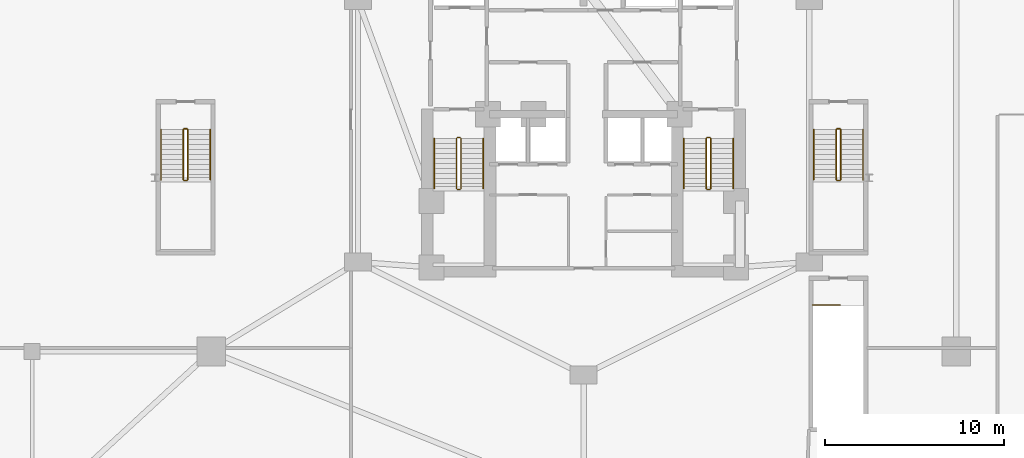
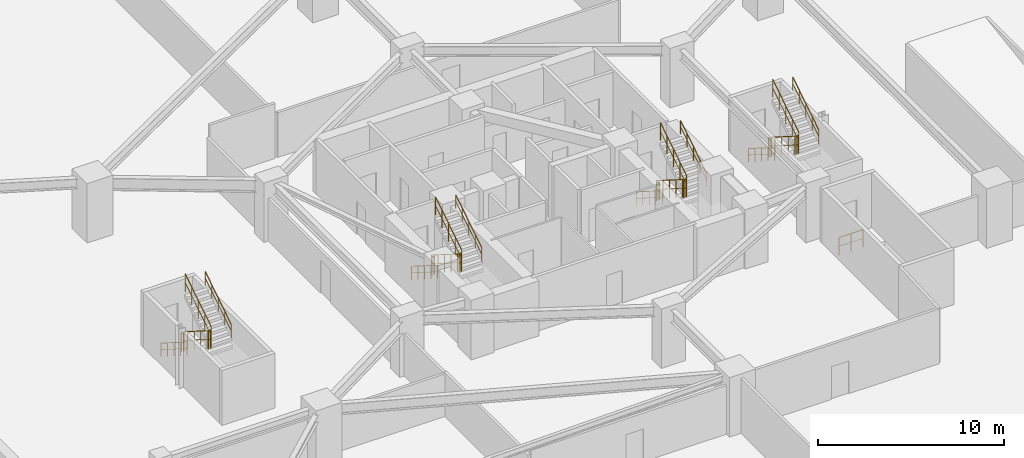
# One storey, part 10 of 10: 25 railings.
"""IFC4 building model written with IfcOpenShell, lengths in metres."""

from ifc_helpers import new_model, si_unit, direction, frame, origin, origin_2d, place, context, subcontext, project, spatial, circle, extrude, material, type_object, element, save


model = new_model("IFC4")

# Units and contexts
model_context = context("Model", 3, precision=1e-05, world=origin(), true_north=direction((0.0, 1.0)))
body_context = subcontext(model_context, "Body", "Model", "MODEL_VIEW")
ifc_project = project(units=[si_unit("LENGTHUNIT", "METRE"), si_unit("AREAUNIT", "SQUARE_METRE"), si_unit("VOLUMEUNIT", "CUBIC_METRE"), si_unit("PLANEANGLEUNIT", "RADIAN"), si_unit("MASSUNIT", "GRAM", prefix="KILO")], contexts=[model_context])

# Site, building, storey
site_placement = place(None, origin())
site = spatial("IfcSite", under=ifc_project, at=site_placement, CompositionType="ELEMENT")
building_placement = place(site_placement, origin())
building = spatial("IfcBuilding", under=site, at=building_placement, Name="Miruveldt Soraemaru", CompositionType="ELEMENT")
storey_placement = place(building_placement, frame((0.0, 0.0, -3.89990234375)))
storey = spatial("IfcBuildingStorey", under=building, at=storey_placement, Name="B1", CompositionType="ELEMENT", Elevation=-3.89990234375)

# Railings
ifc_material = material(Name="Steel S355 (355 MPa)", Category="steel")
railing_type_1 = type_object("IfcRailingType", Name="RAIL-HR-900", PredefinedType="HANDRAIL", material=ifc_material)
railing_1_placement = place(storey_placement, frame((35.64990234375, 42.699951171875, 0.17724609375)))
element("IfcRailing", 1, at=railing_1_placement, inside=storey, type_object=railing_type_1, Name="B1 ST-1 stair handrail 1", PredefinedType="HANDRAIL", context=body_context, shape_type="SweptSolid", body=[
    extrude(circle(Radius=0.02392578125, at=origin_2d()), frame((0.0, 0.0, 0.8759765625), z_axis=(0.0, -0.844908973607, 0.534910110503), x_axis=(1.0, 0.0, 0.0)), (0.0, 0.0, 1.0), 3.31396484375),
    extrude(circle(Radius=0.01611328125, at=origin_2d()), frame((0.0, 0.0, 0.449951171875), z_axis=(0.0, -0.844908973607, 0.534910110503), x_axis=(1.0, 0.0, 0.0)), (0.0, 0.0, 1.0), 3.31396484375),
    extrude(circle(Radius=0.02099609375, at=origin_2d()), origin(), (0.0, 0.0, 1.0), 0.851806640625),
    extrude(circle(Radius=0.02099609375, at=origin_2d()), frame((0.0, -0.699951171875, 0.443115234375)), (0.0, 0.0, 1.0), 0.851806640625),
    extrude(circle(Radius=0.02099609375, at=origin_2d()), frame((0.0, -1.39990234375, 0.88623046875)), (0.0, 0.0, 1.0), 0.851806640625),
    extrude(circle(Radius=0.02099609375, at=origin_2d()), frame((0.0, -2.10009765625, 1.32958984375)), (0.0, 0.0, 1.0), 0.851806640625),
    extrude(circle(Radius=0.02099609375, at=origin_2d()), frame((0.0, -2.800048828125, 1.772705078125)), (0.0, 0.0, 1.0), 0.851806640625),
])
railing_2_placement = place(storey_placement, frame((38.39990234375, 39.89990234375, 2.127197265625)))
element("IfcRailing", 2, at=railing_2_placement, inside=storey, type_object=railing_type_1, Name="B1 ST-1 stair handrail 2", PredefinedType="HANDRAIL", context=body_context, shape_type="SweptSolid", body=[
    extrude(circle(Radius=0.02392578125, at=origin_2d()), frame((0.0, 0.0, 0.8759765625), z_axis=(0.0, 0.844908973607, 0.534910110503), x_axis=(-1.0, 0.0, 0.0)), (0.0, 0.0, 1.0), 3.31396484375),
    extrude(circle(Radius=0.01611328125, at=origin_2d()), frame((0.0, 0.0, 0.449951171875), z_axis=(0.0, 0.844908973607, 0.534910110503), x_axis=(-1.0, 0.0, 0.0)), (0.0, 0.0, 1.0), 3.31396484375),
    extrude(circle(Radius=0.02099609375, at=origin_2d()), origin(), (0.0, 0.0, 1.0), 0.851806640625),
    extrude(circle(Radius=0.02099609375, at=origin_2d()), frame((0.0, 0.699951171875, 0.443115234375)), (0.0, 0.0, 1.0), 0.851806640625),
    extrude(circle(Radius=0.02099609375, at=origin_2d()), frame((0.0, 1.39990234375, 0.88623046875)), (0.0, 0.0, 1.0), 0.851806640625),
    extrude(circle(Radius=0.02099609375, at=origin_2d()), frame((0.0, 2.10009765625, 1.32958984375)), (0.0, 0.0, 1.0), 0.851806640625),
    extrude(circle(Radius=0.02099609375, at=origin_2d()), frame((0.0, 2.800048828125, 1.772705078125)), (0.0, 0.0, 1.0), 0.851806640625),
])
railing_3_placement = place(storey_placement, frame((49.60009765625, 42.699951171875, 0.17724609375)))
element("IfcRailing", 3, at=railing_3_placement, inside=storey, type_object=railing_type_1, Name="B1 ST-2 stair handrail 1", PredefinedType="HANDRAIL", context=body_context, shape_type="SweptSolid", body=[
    extrude(circle(Radius=0.02392578125, at=origin_2d()), frame((0.0, 0.0, 0.8759765625), z_axis=(0.0, -0.844908973607, 0.534910110503), x_axis=(1.0, 0.0, 0.0)), (0.0, 0.0, 1.0), 3.31396484375),
    extrude(circle(Radius=0.01611328125, at=origin_2d()), frame((0.0, 0.0, 0.449951171875), z_axis=(0.0, -0.844908973607, 0.534910110503), x_axis=(1.0, 0.0, 0.0)), (0.0, 0.0, 1.0), 3.31396484375),
    extrude(circle(Radius=0.02099609375, at=origin_2d()), origin(), (0.0, 0.0, 1.0), 0.851806640625),
    extrude(circle(Radius=0.02099609375, at=origin_2d()), frame((0.0, -0.699951171875, 0.443115234375)), (0.0, 0.0, 1.0), 0.851806640625),
    extrude(circle(Radius=0.02099609375, at=origin_2d()), frame((0.0, -1.39990234375, 0.88623046875)), (0.0, 0.0, 1.0), 0.851806640625),
    extrude(circle(Radius=0.02099609375, at=origin_2d()), frame((0.0, -2.10009765625, 1.32958984375)), (0.0, 0.0, 1.0), 0.851806640625),
    extrude(circle(Radius=0.02099609375, at=origin_2d()), frame((0.0, -2.800048828125, 1.772705078125)), (0.0, 0.0, 1.0), 0.851806640625),
])
railing_4_placement = place(storey_placement, frame((52.35009765625, 39.89990234375, 2.127197265625)))
element("IfcRailing", 4, at=railing_4_placement, inside=storey, type_object=railing_type_1, Name="B1 ST-2 stair handrail 2", PredefinedType="HANDRAIL", context=body_context, shape_type="SweptSolid", body=[
    extrude(circle(Radius=0.02392578125, at=origin_2d()), frame((0.0, 0.0, 0.8759765625), z_axis=(0.0, 0.844908973607, 0.534910110503), x_axis=(-1.0, 0.0, 0.0)), (0.0, 0.0, 1.0), 3.31396484375),
    extrude(circle(Radius=0.01611328125, at=origin_2d()), frame((0.0, 0.0, 0.449951171875), z_axis=(0.0, 0.844908973607, 0.534910110503), x_axis=(-1.0, 0.0, 0.0)), (0.0, 0.0, 1.0), 3.31396484375),
    extrude(circle(Radius=0.02099609375, at=origin_2d()), origin(), (0.0, 0.0, 1.0), 0.851806640625),
    extrude(circle(Radius=0.02099609375, at=origin_2d()), frame((0.0, 0.699951171875, 0.443115234375)), (0.0, 0.0, 1.0), 0.851806640625),
    extrude(circle(Radius=0.02099609375, at=origin_2d()), frame((0.0, 1.39990234375, 0.88623046875)), (0.0, 0.0, 1.0), 0.851806640625),
    extrude(circle(Radius=0.02099609375, at=origin_2d()), frame((0.0, 2.10009765625, 1.32958984375)), (0.0, 0.0, 1.0), 0.851806640625),
    extrude(circle(Radius=0.02099609375, at=origin_2d()), frame((0.0, 2.800048828125, 1.772705078125)), (0.0, 0.0, 1.0), 0.851806640625),
])
railing_5_placement = place(storey_placement, frame((20.39990234375, 43.199951171875, 0.17724609375)))
element("IfcRailing", 5, at=railing_5_placement, inside=storey, type_object=railing_type_1, Name="B1 ST-3 stair handrail 1", PredefinedType="HANDRAIL", context=body_context, shape_type="SweptSolid", body=[
    extrude(circle(Radius=0.02392578125, at=origin_2d()), frame((0.0, 0.0, 0.8759765625), z_axis=(0.0, -0.844908973607, 0.534910110503), x_axis=(1.0, 0.0, 0.0)), (0.0, 0.0, 1.0), 3.31396484375),
    extrude(circle(Radius=0.01611328125, at=origin_2d()), frame((0.0, 0.0, 0.449951171875), z_axis=(0.0, -0.844908973607, 0.534910110503), x_axis=(1.0, 0.0, 0.0)), (0.0, 0.0, 1.0), 3.31396484375),
    extrude(circle(Radius=0.02099609375, at=origin_2d()), origin(), (0.0, 0.0, 1.0), 0.851806640625),
    extrude(circle(Radius=0.02099609375, at=origin_2d()), frame((0.0, -0.699951171875, 0.443115234375)), (0.0, 0.0, 1.0), 0.851806640625),
    extrude(circle(Radius=0.02099609375, at=origin_2d()), frame((0.0, -1.39990234375, 0.88623046875)), (0.0, 0.0, 1.0), 0.851806640625),
    extrude(circle(Radius=0.02099609375, at=origin_2d()), frame((0.0, -2.10009765625, 1.32958984375)), (0.0, 0.0, 1.0), 0.851806640625),
    extrude(circle(Radius=0.02099609375, at=origin_2d()), frame((0.0, -2.800048828125, 1.772705078125)), (0.0, 0.0, 1.0), 0.851806640625),
])
railing_6_placement = place(storey_placement, frame((23.14990234375, 40.39990234375, 2.127197265625)))
element("IfcRailing", 6, at=railing_6_placement, inside=storey, type_object=railing_type_1, Name="B1 ST-3 stair handrail 2", PredefinedType="HANDRAIL", context=body_context, shape_type="SweptSolid", body=[
    extrude(circle(Radius=0.02392578125, at=origin_2d()), frame((0.0, 0.0, 0.8759765625), z_axis=(0.0, 0.844908973607, 0.534910110503), x_axis=(-1.0, 0.0, 0.0)), (0.0, 0.0, 1.0), 3.31396484375),
    extrude(circle(Radius=0.01611328125, at=origin_2d()), frame((0.0, 0.0, 0.449951171875), z_axis=(0.0, 0.844908973607, 0.534910110503), x_axis=(-1.0, 0.0, 0.0)), (0.0, 0.0, 1.0), 3.31396484375),
    extrude(circle(Radius=0.02099609375, at=origin_2d()), origin(), (0.0, 0.0, 1.0), 0.851806640625),
    extrude(circle(Radius=0.02099609375, at=origin_2d()), frame((0.0, 0.699951171875, 0.443115234375)), (0.0, 0.0, 1.0), 0.851806640625),
    extrude(circle(Radius=0.02099609375, at=origin_2d()), frame((0.0, 1.39990234375, 0.88623046875)), (0.0, 0.0, 1.0), 0.851806640625),
    extrude(circle(Radius=0.02099609375, at=origin_2d()), frame((0.0, 2.10009765625, 1.32958984375)), (0.0, 0.0, 1.0), 0.851806640625),
    extrude(circle(Radius=0.02099609375, at=origin_2d()), frame((0.0, 2.800048828125, 1.772705078125)), (0.0, 0.0, 1.0), 0.851806640625),
])
railing_7_placement = place(storey_placement, frame((56.85009765625, 43.199951171875, 0.17724609375)))
element("IfcRailing", 7, at=railing_7_placement, inside=storey, type_object=railing_type_1, Name="B1 ST-4 stair handrail 1", PredefinedType="HANDRAIL", context=body_context, shape_type="SweptSolid", body=[
    extrude(circle(Radius=0.02392578125, at=origin_2d()), frame((0.0, 0.0, 0.8759765625), z_axis=(0.0, -0.844908973607, 0.534910110503), x_axis=(1.0, 0.0, 0.0)), (0.0, 0.0, 1.0), 3.31396484375),
    extrude(circle(Radius=0.01611328125, at=origin_2d()), frame((0.0, 0.0, 0.449951171875), z_axis=(0.0, -0.844908973607, 0.534910110503), x_axis=(1.0, 0.0, 0.0)), (0.0, 0.0, 1.0), 3.31396484375),
    extrude(circle(Radius=0.02099609375, at=origin_2d()), origin(), (0.0, 0.0, 1.0), 0.851806640625),
    extrude(circle(Radius=0.02099609375, at=origin_2d()), frame((0.0, -0.699951171875, 0.443115234375)), (0.0, 0.0, 1.0), 0.851806640625),
    extrude(circle(Radius=0.02099609375, at=origin_2d()), frame((0.0, -1.39990234375, 0.88623046875)), (0.0, 0.0, 1.0), 0.851806640625),
    extrude(circle(Radius=0.02099609375, at=origin_2d()), frame((0.0, -2.10009765625, 1.32958984375)), (0.0, 0.0, 1.0), 0.851806640625),
    extrude(circle(Radius=0.02099609375, at=origin_2d()), frame((0.0, -2.800048828125, 1.772705078125)), (0.0, 0.0, 1.0), 0.851806640625),
])
railing_8_placement = place(storey_placement, frame((59.60009765625, 40.39990234375, 2.127197265625)))
element("IfcRailing", 8, at=railing_8_placement, inside=storey, type_object=railing_type_1, Name="B1 ST-4 stair handrail 2", PredefinedType="HANDRAIL", context=body_context, shape_type="SweptSolid", body=[
    extrude(circle(Radius=0.02392578125, at=origin_2d()), frame((0.0, 0.0, 0.8759765625), z_axis=(0.0, 0.844908973607, 0.534910110503), x_axis=(-1.0, 0.0, 0.0)), (0.0, 0.0, 1.0), 3.31396484375),
    extrude(circle(Radius=0.01611328125, at=origin_2d()), frame((0.0, 0.0, 0.449951171875), z_axis=(0.0, 0.844908973607, 0.534910110503), x_axis=(-1.0, 0.0, 0.0)), (0.0, 0.0, 1.0), 3.31396484375),
    extrude(circle(Radius=0.02099609375, at=origin_2d()), origin(), (0.0, 0.0, 1.0), 0.851806640625),
    extrude(circle(Radius=0.02099609375, at=origin_2d()), frame((0.0, 0.699951171875, 0.443115234375)), (0.0, 0.0, 1.0), 0.851806640625),
    extrude(circle(Radius=0.02099609375, at=origin_2d()), frame((0.0, 1.39990234375, 0.88623046875)), (0.0, 0.0, 1.0), 0.851806640625),
    extrude(circle(Radius=0.02099609375, at=origin_2d()), frame((0.0, 2.10009765625, 1.32958984375)), (0.0, 0.0, 1.0), 0.851806640625),
    extrude(circle(Radius=0.02099609375, at=origin_2d()), frame((0.0, 2.800048828125, 1.772705078125)), (0.0, 0.0, 1.0), 0.851806640625),
])
railing_type_2 = type_object("IfcRailingType", Name="RAIL-STGUARD-1200", PredefinedType="GUARDRAIL", material=ifc_material)
railing_9_placement = place(storey_placement, frame((36.89990234375, 42.699951171875, 0.17724609375)))
element("IfcRailing", 9, at=railing_9_placement, inside=storey, type_object=railing_type_2, Name="B1 ST-1 stair guard 1", PredefinedType="GUARDRAIL", context=body_context, shape_type="SweptSolid", body=[
    extrude(circle(Radius=0.02392578125, at=origin_2d()), frame((0.0, 0.0, 1.17578125), z_axis=(0.0, -0.844908973607, 0.534910110503), x_axis=(1.0, 0.0, 0.0)), (0.0, 0.0, 1.0), 3.31396484375),
    extrude(circle(Radius=0.01611328125, at=origin_2d()), frame((0.0, 0.0, 0.60009765625), z_axis=(0.0, -0.844908973607, 0.534910110503), x_axis=(1.0, 0.0, 0.0)), (0.0, 0.0, 1.0), 3.31396484375),
    extrude(circle(Radius=0.02099609375, at=origin_2d()), origin(), (0.0, 0.0, 1.0), 1.15185546875),
    extrude(circle(Radius=0.02099609375, at=origin_2d()), frame((0.0, -0.699951171875, 0.443115234375)), (0.0, 0.0, 1.0), 1.15185546875),
    extrude(circle(Radius=0.02099609375, at=origin_2d()), frame((0.0, -1.39990234375, 0.88623046875)), (0.0, 0.0, 1.0), 1.15185546875),
    extrude(circle(Radius=0.02099609375, at=origin_2d()), frame((0.0, -2.10009765625, 1.32958984375)), (0.0, 0.0, 1.0), 1.15185546875),
    extrude(circle(Radius=0.02099609375, at=origin_2d()), frame((0.0, -2.800048828125, 1.772705078125)), (0.0, 0.0, 1.0), 1.15185546875),
])
railing_10_placement = place(storey_placement, frame((36.949951171875, 39.85009765625, 1.949951171875)))
element("IfcRailing", 10, at=railing_10_placement, inside=storey, type_object=railing_type_2, Name="B1 ST-1 stair guard 2", PredefinedType="GUARDRAIL", context=body_context, shape_type="SweptSolid", body=[
    extrude(circle(Radius=0.02392578125, at=origin_2d()), frame((0.0, 0.0, 1.17578125), z_axis=(1.0, 0.0, 0.0), x_axis=(0.0, 1.0, 0.0)), (0.0, 0.0, 1.0), 0.150146484375),
    extrude(circle(Radius=0.01611328125, at=origin_2d()), frame((0.0, 0.0, 0.60009765625), z_axis=(1.0, 0.0, 0.0), x_axis=(0.0, 1.0, 0.0)), (0.0, 0.0, 1.0), 0.150146484375),
    extrude(circle(Radius=0.02099609375, at=origin_2d()), origin(), (0.0, 0.0, 1.0), 1.15185546875),
    extrude(circle(Radius=0.02099609375, at=origin_2d()), frame((0.150146484375, 0.0, 0.0)), (0.0, 0.0, 1.0), 1.15185546875),
])
railing_11_placement = place(storey_placement, frame((37.14990234375, 39.89990234375, 2.127197265625)))
element("IfcRailing", 11, at=railing_11_placement, inside=storey, type_object=railing_type_2, Name="B1 ST-1 stair guard 3", PredefinedType="GUARDRAIL", context=body_context, shape_type="SweptSolid", body=[
    extrude(circle(Radius=0.02392578125, at=origin_2d()), frame((0.0, 0.0, 1.17578125), z_axis=(0.0, 0.844908973607, 0.534910110503), x_axis=(-1.0, 0.0, 0.0)), (0.0, 0.0, 1.0), 3.31396484375),
    extrude(circle(Radius=0.01611328125, at=origin_2d()), frame((0.0, 0.0, 0.60009765625), z_axis=(0.0, 0.844908973607, 0.534910110503), x_axis=(-1.0, 0.0, 0.0)), (0.0, 0.0, 1.0), 3.31396484375),
    extrude(circle(Radius=0.02099609375, at=origin_2d()), origin(), (0.0, 0.0, 1.0), 1.15185546875),
    extrude(circle(Radius=0.02099609375, at=origin_2d()), frame((0.0, 0.699951171875, 0.443115234375)), (0.0, 0.0, 1.0), 1.15185546875),
    extrude(circle(Radius=0.02099609375, at=origin_2d()), frame((0.0, 1.39990234375, 0.88623046875)), (0.0, 0.0, 1.0), 1.15185546875),
    extrude(circle(Radius=0.02099609375, at=origin_2d()), frame((0.0, 2.10009765625, 1.32958984375)), (0.0, 0.0, 1.0), 1.15185546875),
    extrude(circle(Radius=0.02099609375, at=origin_2d()), frame((0.0, 2.800048828125, 1.772705078125)), (0.0, 0.0, 1.0), 1.15185546875),
])
railing_12_placement = place(storey_placement, frame((36.949951171875, 42.75, 0.0)))
element("IfcRailing", 12, at=railing_12_placement, inside=storey, type_object=railing_type_2, Name="B1 ST-1 stair guard 4", PredefinedType="GUARDRAIL", context=body_context, shape_type="SweptSolid", body=[
    extrude(circle(Radius=0.02392578125, at=origin_2d()), frame((0.0, 0.0, 1.17578125), z_axis=(1.0, 0.0, 0.0), x_axis=(0.0, 1.0, 0.0)), (0.0, 0.0, 1.0), 0.150146484375),
    extrude(circle(Radius=0.01611328125, at=origin_2d()), frame((0.0, 0.0, 0.60009765625), z_axis=(1.0, 0.0, 0.0), x_axis=(0.0, 1.0, 0.0)), (0.0, 0.0, 1.0), 0.150146484375),
    extrude(circle(Radius=0.02099609375, at=origin_2d()), origin(), (0.0, 0.0, 1.0), 1.15185546875),
    extrude(circle(Radius=0.02099609375, at=origin_2d()), frame((0.150146484375, 0.0, 0.0)), (0.0, 0.0, 1.0), 1.15185546875),
])
railing_13_placement = place(storey_placement, frame((50.85009765625, 42.699951171875, 0.17724609375)))
element("IfcRailing", 13, at=railing_13_placement, inside=storey, type_object=railing_type_2, Name="B1 ST-2 stair guard 1", PredefinedType="GUARDRAIL", context=body_context, shape_type="SweptSolid", body=[
    extrude(circle(Radius=0.02392578125, at=origin_2d()), frame((0.0, 0.0, 1.17578125), z_axis=(0.0, -0.844908973607, 0.534910110503), x_axis=(1.0, 0.0, 0.0)), (0.0, 0.0, 1.0), 3.31396484375),
    extrude(circle(Radius=0.01611328125, at=origin_2d()), frame((0.0, 0.0, 0.60009765625), z_axis=(0.0, -0.844908973607, 0.534910110503), x_axis=(1.0, 0.0, 0.0)), (0.0, 0.0, 1.0), 3.31396484375),
    extrude(circle(Radius=0.02099609375, at=origin_2d()), origin(), (0.0, 0.0, 1.0), 1.15185546875),
    extrude(circle(Radius=0.02099609375, at=origin_2d()), frame((0.0, -0.699951171875, 0.443115234375)), (0.0, 0.0, 1.0), 1.15185546875),
    extrude(circle(Radius=0.02099609375, at=origin_2d()), frame((0.0, -1.39990234375, 0.88623046875)), (0.0, 0.0, 1.0), 1.15185546875),
    extrude(circle(Radius=0.02099609375, at=origin_2d()), frame((0.0, -2.10009765625, 1.32958984375)), (0.0, 0.0, 1.0), 1.15185546875),
    extrude(circle(Radius=0.02099609375, at=origin_2d()), frame((0.0, -2.800048828125, 1.772705078125)), (0.0, 0.0, 1.0), 1.15185546875),
])
railing_14_placement = place(storey_placement, frame((50.89990234375, 39.85009765625, 1.949951171875)))
element("IfcRailing", 14, at=railing_14_placement, inside=storey, type_object=railing_type_2, Name="B1 ST-2 stair guard 2", PredefinedType="GUARDRAIL", context=body_context, shape_type="SweptSolid", body=[
    extrude(circle(Radius=0.02392578125, at=origin_2d()), frame((0.0, 0.0, 1.17578125), z_axis=(1.0, 0.0, 0.0), x_axis=(0.0, 1.0, 0.0)), (0.0, 0.0, 1.0), 0.150146484375),
    extrude(circle(Radius=0.01611328125, at=origin_2d()), frame((0.0, 0.0, 0.60009765625), z_axis=(1.0, 0.0, 0.0), x_axis=(0.0, 1.0, 0.0)), (0.0, 0.0, 1.0), 0.150146484375),
    extrude(circle(Radius=0.02099609375, at=origin_2d()), origin(), (0.0, 0.0, 1.0), 1.15185546875),
    extrude(circle(Radius=0.02099609375, at=origin_2d()), frame((0.150146484375, 0.0, 0.0)), (0.0, 0.0, 1.0), 1.15185546875),
])
railing_15_placement = place(storey_placement, frame((51.10009765625, 39.89990234375, 2.127197265625)))
element("IfcRailing", 15, at=railing_15_placement, inside=storey, type_object=railing_type_2, Name="B1 ST-2 stair guard 3", PredefinedType="GUARDRAIL", context=body_context, shape_type="SweptSolid", body=[
    extrude(circle(Radius=0.02392578125, at=origin_2d()), frame((0.0, 0.0, 1.17578125), z_axis=(0.0, 0.844908973607, 0.534910110503), x_axis=(-1.0, 0.0, 0.0)), (0.0, 0.0, 1.0), 3.31396484375),
    extrude(circle(Radius=0.01611328125, at=origin_2d()), frame((0.0, 0.0, 0.60009765625), z_axis=(0.0, 0.844908973607, 0.534910110503), x_axis=(-1.0, 0.0, 0.0)), (0.0, 0.0, 1.0), 3.31396484375),
    extrude(circle(Radius=0.02099609375, at=origin_2d()), origin(), (0.0, 0.0, 1.0), 1.15185546875),
    extrude(circle(Radius=0.02099609375, at=origin_2d()), frame((0.0, 0.699951171875, 0.443115234375)), (0.0, 0.0, 1.0), 1.15185546875),
    extrude(circle(Radius=0.02099609375, at=origin_2d()), frame((0.0, 1.39990234375, 0.88623046875)), (0.0, 0.0, 1.0), 1.15185546875),
    extrude(circle(Radius=0.02099609375, at=origin_2d()), frame((0.0, 2.10009765625, 1.32958984375)), (0.0, 0.0, 1.0), 1.15185546875),
    extrude(circle(Radius=0.02099609375, at=origin_2d()), frame((0.0, 2.800048828125, 1.772705078125)), (0.0, 0.0, 1.0), 1.15185546875),
])
railing_16_placement = place(storey_placement, frame((50.89990234375, 42.75, 0.0)))
element("IfcRailing", 16, at=railing_16_placement, inside=storey, type_object=railing_type_2, Name="B1 ST-2 stair guard 4", PredefinedType="GUARDRAIL", context=body_context, shape_type="SweptSolid", body=[
    extrude(circle(Radius=0.02392578125, at=origin_2d()), frame((0.0, 0.0, 1.17578125), z_axis=(1.0, 0.0, 0.0), x_axis=(0.0, 1.0, 0.0)), (0.0, 0.0, 1.0), 0.150146484375),
    extrude(circle(Radius=0.01611328125, at=origin_2d()), frame((0.0, 0.0, 0.60009765625), z_axis=(1.0, 0.0, 0.0), x_axis=(0.0, 1.0, 0.0)), (0.0, 0.0, 1.0), 0.150146484375),
    extrude(circle(Radius=0.02099609375, at=origin_2d()), origin(), (0.0, 0.0, 1.0), 1.15185546875),
    extrude(circle(Radius=0.02099609375, at=origin_2d()), frame((0.150146484375, 0.0, 0.0)), (0.0, 0.0, 1.0), 1.15185546875),
])
railing_17_placement = place(storey_placement, frame((21.64990234375, 43.199951171875, 0.17724609375)))
element("IfcRailing", 17, at=railing_17_placement, inside=storey, type_object=railing_type_2, Name="B1 ST-3 stair guard 1", PredefinedType="GUARDRAIL", context=body_context, shape_type="SweptSolid", body=[
    extrude(circle(Radius=0.02392578125, at=origin_2d()), frame((0.0, 0.0, 1.17578125), z_axis=(0.0, -0.844908973607, 0.534910110503), x_axis=(1.0, 0.0, 0.0)), (0.0, 0.0, 1.0), 3.31396484375),
    extrude(circle(Radius=0.01611328125, at=origin_2d()), frame((0.0, 0.0, 0.60009765625), z_axis=(0.0, -0.844908973607, 0.534910110503), x_axis=(1.0, 0.0, 0.0)), (0.0, 0.0, 1.0), 3.31396484375),
    extrude(circle(Radius=0.02099609375, at=origin_2d()), origin(), (0.0, 0.0, 1.0), 1.15185546875),
    extrude(circle(Radius=0.02099609375, at=origin_2d()), frame((0.0, -0.699951171875, 0.443115234375)), (0.0, 0.0, 1.0), 1.15185546875),
    extrude(circle(Radius=0.02099609375, at=origin_2d()), frame((0.0, -1.39990234375, 0.88623046875)), (0.0, 0.0, 1.0), 1.15185546875),
    extrude(circle(Radius=0.02099609375, at=origin_2d()), frame((0.0, -2.10009765625, 1.32958984375)), (0.0, 0.0, 1.0), 1.15185546875),
    extrude(circle(Radius=0.02099609375, at=origin_2d()), frame((0.0, -2.800048828125, 1.772705078125)), (0.0, 0.0, 1.0), 1.15185546875),
])
railing_18_placement = place(storey_placement, frame((21.699951171875, 40.35009765625, 1.949951171875)))
element("IfcRailing", 18, at=railing_18_placement, inside=storey, type_object=railing_type_2, Name="B1 ST-3 stair guard 2", PredefinedType="GUARDRAIL", context=body_context, shape_type="SweptSolid", body=[
    extrude(circle(Radius=0.02392578125, at=origin_2d()), frame((0.0, 0.0, 1.17578125), z_axis=(1.0, 0.0, 0.0), x_axis=(0.0, 1.0, 0.0)), (0.0, 0.0, 1.0), 0.150146484375),
    extrude(circle(Radius=0.01611328125, at=origin_2d()), frame((0.0, 0.0, 0.60009765625), z_axis=(1.0, 0.0, 0.0), x_axis=(0.0, 1.0, 0.0)), (0.0, 0.0, 1.0), 0.150146484375),
    extrude(circle(Radius=0.02099609375, at=origin_2d()), origin(), (0.0, 0.0, 1.0), 1.15185546875),
    extrude(circle(Radius=0.02099609375, at=origin_2d()), frame((0.150146484375, 0.0, 0.0)), (0.0, 0.0, 1.0), 1.15185546875),
])
railing_19_placement = place(storey_placement, frame((21.89990234375, 40.39990234375, 2.127197265625)))
element("IfcRailing", 19, at=railing_19_placement, inside=storey, type_object=railing_type_2, Name="B1 ST-3 stair guard 3", PredefinedType="GUARDRAIL", context=body_context, shape_type="SweptSolid", body=[
    extrude(circle(Radius=0.02392578125, at=origin_2d()), frame((0.0, 0.0, 1.17578125), z_axis=(0.0, 0.844908973607, 0.534910110503), x_axis=(-1.0, 0.0, 0.0)), (0.0, 0.0, 1.0), 3.31396484375),
    extrude(circle(Radius=0.01611328125, at=origin_2d()), frame((0.0, 0.0, 0.60009765625), z_axis=(0.0, 0.844908973607, 0.534910110503), x_axis=(-1.0, 0.0, 0.0)), (0.0, 0.0, 1.0), 3.31396484375),
    extrude(circle(Radius=0.02099609375, at=origin_2d()), origin(), (0.0, 0.0, 1.0), 1.15185546875),
    extrude(circle(Radius=0.02099609375, at=origin_2d()), frame((0.0, 0.699951171875, 0.443115234375)), (0.0, 0.0, 1.0), 1.15185546875),
    extrude(circle(Radius=0.02099609375, at=origin_2d()), frame((0.0, 1.39990234375, 0.88623046875)), (0.0, 0.0, 1.0), 1.15185546875),
    extrude(circle(Radius=0.02099609375, at=origin_2d()), frame((0.0, 2.10009765625, 1.32958984375)), (0.0, 0.0, 1.0), 1.15185546875),
    extrude(circle(Radius=0.02099609375, at=origin_2d()), frame((0.0, 2.800048828125, 1.772705078125)), (0.0, 0.0, 1.0), 1.15185546875),
])
railing_20_placement = place(storey_placement, frame((21.699951171875, 43.25, 0.0)))
element("IfcRailing", 20, at=railing_20_placement, inside=storey, type_object=railing_type_2, Name="B1 ST-3 stair guard 4", PredefinedType="GUARDRAIL", context=body_context, shape_type="SweptSolid", body=[
    extrude(circle(Radius=0.02392578125, at=origin_2d()), frame((0.0, 0.0, 1.17578125), z_axis=(1.0, 0.0, 0.0), x_axis=(0.0, 1.0, 0.0)), (0.0, 0.0, 1.0), 0.150146484375),
    extrude(circle(Radius=0.01611328125, at=origin_2d()), frame((0.0, 0.0, 0.60009765625), z_axis=(1.0, 0.0, 0.0), x_axis=(0.0, 1.0, 0.0)), (0.0, 0.0, 1.0), 0.150146484375),
    extrude(circle(Radius=0.02099609375, at=origin_2d()), origin(), (0.0, 0.0, 1.0), 1.15185546875),
    extrude(circle(Radius=0.02099609375, at=origin_2d()), frame((0.150146484375, 0.0, 0.0)), (0.0, 0.0, 1.0), 1.15185546875),
])
railing_21_placement = place(storey_placement, frame((58.10009765625, 43.199951171875, 0.17724609375)))
element("IfcRailing", 21, at=railing_21_placement, inside=storey, type_object=railing_type_2, Name="B1 ST-4 stair guard 1", PredefinedType="GUARDRAIL", context=body_context, shape_type="SweptSolid", body=[
    extrude(circle(Radius=0.02392578125, at=origin_2d()), frame((0.0, 0.0, 1.17578125), z_axis=(0.0, -0.844908973607, 0.534910110503), x_axis=(1.0, 0.0, 0.0)), (0.0, 0.0, 1.0), 3.31396484375),
    extrude(circle(Radius=0.01611328125, at=origin_2d()), frame((0.0, 0.0, 0.60009765625), z_axis=(0.0, -0.844908973607, 0.534910110503), x_axis=(1.0, 0.0, 0.0)), (0.0, 0.0, 1.0), 3.31396484375),
    extrude(circle(Radius=0.02099609375, at=origin_2d()), origin(), (0.0, 0.0, 1.0), 1.15185546875),
    extrude(circle(Radius=0.02099609375, at=origin_2d()), frame((0.0, -0.699951171875, 0.443115234375)), (0.0, 0.0, 1.0), 1.15185546875),
    extrude(circle(Radius=0.02099609375, at=origin_2d()), frame((0.0, -1.39990234375, 0.88623046875)), (0.0, 0.0, 1.0), 1.15185546875),
    extrude(circle(Radius=0.02099609375, at=origin_2d()), frame((0.0, -2.10009765625, 1.32958984375)), (0.0, 0.0, 1.0), 1.15185546875),
    extrude(circle(Radius=0.02099609375, at=origin_2d()), frame((0.0, -2.800048828125, 1.772705078125)), (0.0, 0.0, 1.0), 1.15185546875),
])
railing_22_placement = place(storey_placement, frame((58.14990234375, 40.35009765625, 1.949951171875)))
element("IfcRailing", 22, at=railing_22_placement, inside=storey, type_object=railing_type_2, Name="B1 ST-4 stair guard 2", PredefinedType="GUARDRAIL", context=body_context, shape_type="SweptSolid", body=[
    extrude(circle(Radius=0.02392578125, at=origin_2d()), frame((0.0, 0.0, 1.17578125), z_axis=(1.0, 0.0, 0.0), x_axis=(0.0, 1.0, 0.0)), (0.0, 0.0, 1.0), 0.150146484375),
    extrude(circle(Radius=0.01611328125, at=origin_2d()), frame((0.0, 0.0, 0.60009765625), z_axis=(1.0, 0.0, 0.0), x_axis=(0.0, 1.0, 0.0)), (0.0, 0.0, 1.0), 0.150146484375),
    extrude(circle(Radius=0.02099609375, at=origin_2d()), origin(), (0.0, 0.0, 1.0), 1.15185546875),
    extrude(circle(Radius=0.02099609375, at=origin_2d()), frame((0.150146484375, 0.0, 0.0)), (0.0, 0.0, 1.0), 1.15185546875),
])
railing_23_placement = place(storey_placement, frame((58.35009765625, 40.39990234375, 2.127197265625)))
element("IfcRailing", 23, at=railing_23_placement, inside=storey, type_object=railing_type_2, Name="B1 ST-4 stair guard 3", PredefinedType="GUARDRAIL", context=body_context, shape_type="SweptSolid", body=[
    extrude(circle(Radius=0.02392578125, at=origin_2d()), frame((0.0, 0.0, 1.17578125), z_axis=(0.0, 0.844908973607, 0.534910110503), x_axis=(-1.0, 0.0, 0.0)), (0.0, 0.0, 1.0), 3.31396484375),
    extrude(circle(Radius=0.01611328125, at=origin_2d()), frame((0.0, 0.0, 0.60009765625), z_axis=(0.0, 0.844908973607, 0.534910110503), x_axis=(-1.0, 0.0, 0.0)), (0.0, 0.0, 1.0), 3.31396484375),
    extrude(circle(Radius=0.02099609375, at=origin_2d()), origin(), (0.0, 0.0, 1.0), 1.15185546875),
    extrude(circle(Radius=0.02099609375, at=origin_2d()), frame((0.0, 0.699951171875, 0.443115234375)), (0.0, 0.0, 1.0), 1.15185546875),
    extrude(circle(Radius=0.02099609375, at=origin_2d()), frame((0.0, 1.39990234375, 0.88623046875)), (0.0, 0.0, 1.0), 1.15185546875),
    extrude(circle(Radius=0.02099609375, at=origin_2d()), frame((0.0, 2.10009765625, 1.32958984375)), (0.0, 0.0, 1.0), 1.15185546875),
    extrude(circle(Radius=0.02099609375, at=origin_2d()), frame((0.0, 2.800048828125, 1.772705078125)), (0.0, 0.0, 1.0), 1.15185546875),
])
railing_24_placement = place(storey_placement, frame((58.14990234375, 43.25, 0.0)))
element("IfcRailing", 24, at=railing_24_placement, inside=storey, type_object=railing_type_2, Name="B1 ST-4 stair guard 4", PredefinedType="GUARDRAIL", context=body_context, shape_type="SweptSolid", body=[
    extrude(circle(Radius=0.02392578125, at=origin_2d()), frame((0.0, 0.0, 1.17578125), z_axis=(1.0, 0.0, 0.0), x_axis=(0.0, 1.0, 0.0)), (0.0, 0.0, 1.0), 0.150146484375),
    extrude(circle(Radius=0.01611328125, at=origin_2d()), frame((0.0, 0.0, 0.60009765625), z_axis=(1.0, 0.0, 0.0), x_axis=(0.0, 1.0, 0.0)), (0.0, 0.0, 1.0), 0.150146484375),
    extrude(circle(Radius=0.02099609375, at=origin_2d()), origin(), (0.0, 0.0, 1.0), 1.15185546875),
    extrude(circle(Radius=0.02099609375, at=origin_2d()), frame((0.150146484375, 0.0, 0.0)), (0.0, 0.0, 1.0), 1.15185546875),
])
railing_25_placement = place(storey_placement, frame((56.800048828125, 33.39990234375, 0.0)))
element("IfcRailing", 25, at=railing_25_placement, inside=storey, type_object=railing_type_2, Name="B1 ST-5 top well guard 1", PredefinedType="GUARDRAIL", context=body_context, shape_type="SweptSolid", body=[
    extrude(circle(Radius=0.02392578125, at=origin_2d()), frame((0.0, 0.0, 1.17578125), z_axis=(1.0, 0.0, 0.0), x_axis=(0.0, 1.0, 0.0)), (0.0, 0.0, 1.0), 1.5),
    extrude(circle(Radius=0.01611328125, at=origin_2d()), frame((0.0, 0.0, 0.60009765625), z_axis=(1.0, 0.0, 0.0), x_axis=(0.0, 1.0, 0.0)), (0.0, 0.0, 1.0), 1.5),
    extrude(circle(Radius=0.02099609375, at=origin_2d()), origin(), (0.0, 0.0, 1.0), 1.15185546875),
    extrude(circle(Radius=0.02099609375, at=origin_2d()), frame((0.75, 0.0, 0.0)), (0.0, 0.0, 1.0), 1.15185546875),
    extrude(circle(Radius=0.02099609375, at=origin_2d()), frame((1.5, 0.0, 0.0)), (0.0, 0.0, 1.0), 1.15185546875),
])

save(model, "model.ifc")
